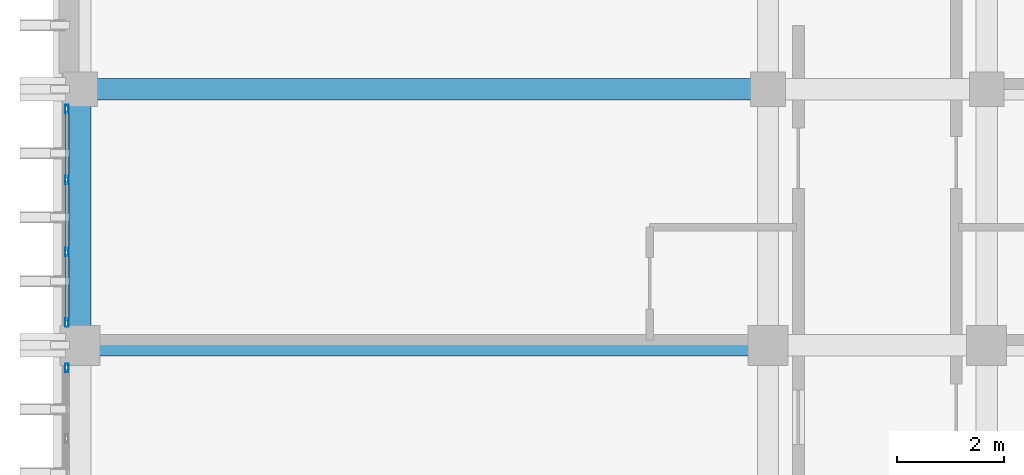
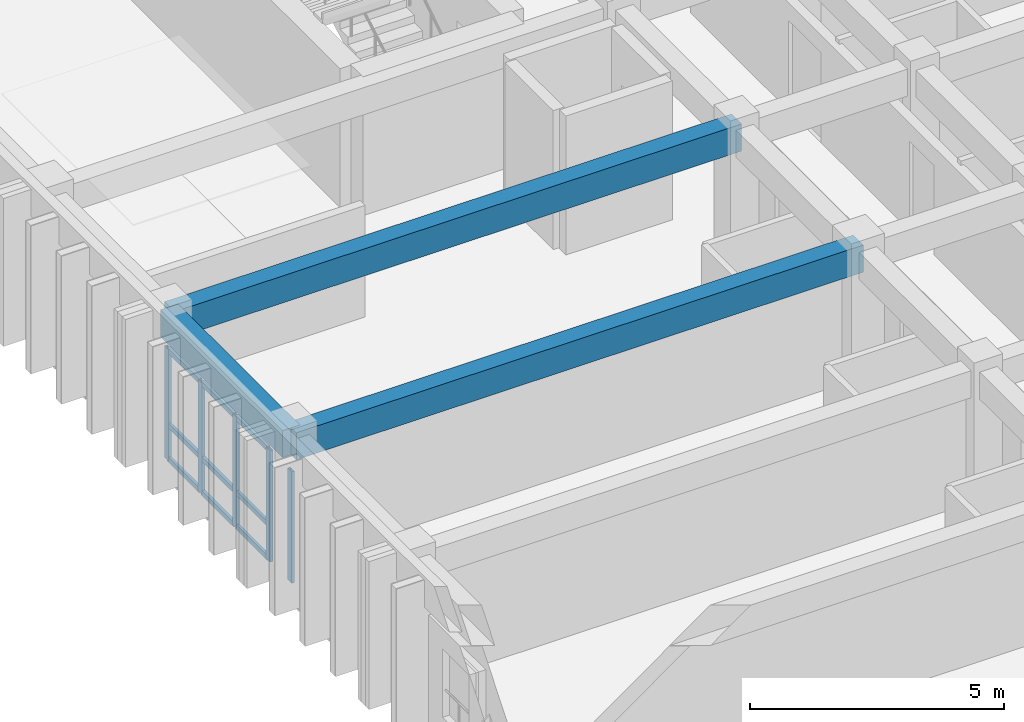
# One storey, part 18 of 64: 14 members, 3 beams, 2 elements without a shape of their own.
"""IFC4 building model written with IfcOpenShell, lengths in metres."""

from ifc_helpers import new_model, si_unit, direction, frame, origin, origin_2d, place, context, subcontext, project, spatial, rectangle, hollow_rectangle, extrude, material, layer, layer_set, material_profile, profile_set, type_object, element, aggregate, save


model = new_model("IFC4")

# Units and contexts
model_context = context("Model", 3, precision=1e-05, world=origin(), true_north=direction((0.0, 1.0)))
body_context = subcontext(model_context, "Body", "Model", "MODEL_VIEW")
ifc_project = project(units=[si_unit("LENGTHUNIT", "METRE"), si_unit("AREAUNIT", "SQUARE_METRE"), si_unit("VOLUMEUNIT", "CUBIC_METRE"), si_unit("PLANEANGLEUNIT", "RADIAN"), si_unit("MASSUNIT", "GRAM", prefix="KILO")], contexts=[model_context])

# Site, building, storey
site_placement = place(None, origin())
site = spatial("IfcSite", under=ifc_project, at=site_placement, CompositionType="ELEMENT")
building_placement = place(site_placement, origin())
building = spatial("IfcBuilding", under=site, at=building_placement, Name="Nakhvara Creek Congress Hotel", CompositionType="ELEMENT")
storey_placement = place(building_placement, frame((0.0, 0.0, 28.199951171875)))
storey = spatial("IfcBuildingStorey", under=building, at=storey_placement, Name="L06", CompositionType="ELEMENT", Elevation=28.199951171875)

# Beams
ifc_material_1 = material(Name="Concrete C40/50", Category="concrete")
ifc_material_profile_1 = material_profile(ifc_material_1, rectangle(XDim=0.39990234375, YDim=0.64990234375, at=origin_2d()), Name="RC-BM 400x650", Category="LoadBearing")
ifc_profile_set_1 = profile_set([ifc_material_profile_1], Name="Concrete C40/50")
beam_type = type_object("IfcBeamType", Name="BM-RC-400X650", PredefinedType="BEAM", material=ifc_profile_set_1)
beam_1_placement = place(storey_placement, frame((149.449951171875, 67.199951171875, 3.01513671875), z_axis=(1.0, 0.0, 0.0), x_axis=(0.0, 1.0, 0.0)))
element("IfcBeam", 1, at=beam_1_placement, inside=storey, type_object=beam_type, Name="Beam B06-L06-2201", PredefinedType="BEAM", context=body_context, shape_type="SweptSolid", body=[
    extrude(rectangle(XDim=0.39990234375, YDim=0.64990234375, at=origin_2d()), origin(), (0.0, 0.0, 1.0), 12.900146484375),
])
beam_2_placement = place(storey_placement, frame((149.449951171875, 67.199951171875, 3.01513671875), z_axis=(0.0, 1.0, 0.0), x_axis=(-1.0, 0.0, 0.0)))
element("IfcBeam", 2, at=beam_2_placement, inside=storey, type_object=beam_type, Name="Beam B06-L06-2203", PredefinedType="BEAM", context=body_context, shape_type="SweptSolid", body=[
    extrude(rectangle(XDim=0.39990234375, YDim=0.64990234375, at=origin_2d()), origin(), (0.0, 0.0, 1.0), 4.800048828125),
])
beam_3_placement = place(storey_placement, frame((149.449951171875, 72.0, 3.01513671875), z_axis=(1.0, 0.0, 0.0), x_axis=(0.0, 1.0, 0.0)))
element("IfcBeam", 3, at=beam_3_placement, inside=storey, type_object=beam_type, Name="Beam B06-L06-2296", PredefinedType="BEAM", context=body_context, shape_type="SweptSolid", body=[
    extrude(rectangle(XDim=0.39990234375, YDim=0.64990234375, at=origin_2d()), origin(), (0.0, 0.0, 1.0), 12.900146484375),
])

# Curtain wall, member
ifc_material_2 = material(Name="Bronze-anodised aluminium AW-6063-T6 and double-silver low-E glass", Category="aluminium")
ifc_layer = layer(ifc_material_2, 0.199951171875)
ifc_layer_set = layer_set([ifc_layer], Name="Bronze-anodised aluminium AW-6063-T6 and double-silver low-E glass")
curtain_wall_type = type_object("IfcCurtainWallType", Name="CW-HTL-UNIT", PredefinedType="USERDEFINED", material=ifc_layer_set)
curtain_wall_1_placement = place(storey_placement, origin())
curtain_wall_1 = element("IfcCurtainWall", 4, at=curtain_wall_1_placement, inside=storey, type_object=curtain_wall_type, Name="Curtain Wall CW236", ObjectType="UNITISED", PredefinedType="USERDEFINED")
ifc_material_3 = material(Name="Bronze-anodised aluminium AW-6063-T6", Category="aluminium")
ifc_material_profile_2 = material_profile(ifc_material_3, hollow_rectangle(XDim=0.06494140625, YDim=0.159912109375, WallThickness=0.00390625, at=origin_2d()), Name="ALU-MULL 65x160x4", Category="LoadBearing")
ifc_profile_set_2 = profile_set([ifc_material_profile_2], Name="Bronze-anodised aluminium AW-6063-T6")
member_type_1 = type_object("IfcMemberType", Name="CW-MULL-160", PredefinedType="MULLION", material=ifc_profile_set_2)
member_1_placement = place(storey_placement, frame((149.199951171875, 66.777587890625, 0.0), z_axis=(0.0, 0.0, 1.0), x_axis=(-1.0, 0.0, 0.0)))
member_1 = element("IfcMember", 5, at=member_1_placement, type_object=member_type_1, Name="CW236 mullion 4", PredefinedType="MULLION", context=body_context, shape_type="SweptSolid", body=[
    extrude(hollow_rectangle(XDim=0.06494140625, YDim=0.159912109375, WallThickness=0.00390625, at=origin_2d()), origin(), (0.0, 0.0, 1.0), 2.68212890625),
])
aggregate(curtain_wall_1, [member_1])

# Curtain wall, members
curtain_wall_2_placement = place(storey_placement, origin())
curtain_wall_2 = element("IfcCurtainWall", 6, at=curtain_wall_2_placement, inside=storey, type_object=curtain_wall_type, Name="Curtain Wall CW238", ObjectType="UNITISED", PredefinedType="USERDEFINED")
member_2_placement = place(storey_placement, frame((149.199951171875, 67.62255859375, 0.0), z_axis=(0.0, 0.0, 1.0), x_axis=(-1.0, 0.0, 0.0)))
member_2 = element("IfcMember", 7, at=member_2_placement, type_object=member_type_1, Name="CW238 mullion 1", PredefinedType="MULLION", context=body_context, shape_type="SweptSolid", body=[
    extrude(hollow_rectangle(XDim=0.06494140625, YDim=0.159912109375, WallThickness=0.00390625, at=origin_2d()), origin(), (0.0, 0.0, 1.0), 2.68212890625),
])
member_3_placement = place(storey_placement, frame((149.199951171875, 68.94677734375, 0.0), z_axis=(0.0, 0.0, 1.0), x_axis=(-1.0, 0.0, 0.0)))
member_3 = element("IfcMember", 8, at=member_3_placement, type_object=member_type_1, Name="CW238 mullion 2", PredefinedType="MULLION", context=body_context, shape_type="SweptSolid", body=[
    extrude(hollow_rectangle(XDim=0.06494140625, YDim=0.159912109375, WallThickness=0.00390625, at=origin_2d()), origin(), (0.0, 0.0, 1.0), 2.68212890625),
])
member_4_placement = place(storey_placement, frame((149.199951171875, 70.30322265625, 0.0), z_axis=(0.0, 0.0, 1.0), x_axis=(-1.0, 0.0, 0.0)))
member_4 = element("IfcMember", 9, at=member_4_placement, type_object=member_type_1, Name="CW238 mullion 3", PredefinedType="MULLION", context=body_context, shape_type="SweptSolid", body=[
    extrude(hollow_rectangle(XDim=0.06494140625, YDim=0.159912109375, WallThickness=0.00390625, at=origin_2d()), origin(), (0.0, 0.0, 1.0), 2.68212890625),
])
member_5_placement = place(storey_placement, frame((149.199951171875, 71.62744140625, 0.0), z_axis=(0.0, 0.0, 1.0), x_axis=(-1.0, 0.0, 0.0)))
member_5 = element("IfcMember", 10, at=member_5_placement, type_object=member_type_1, Name="CW238 mullion 4", PredefinedType="MULLION", context=body_context, shape_type="SweptSolid", body=[
    extrude(hollow_rectangle(XDim=0.06494140625, YDim=0.159912109375, WallThickness=0.00390625, at=origin_2d()), origin(), (0.0, 0.0, 1.0), 2.68212890625),
])
ifc_material_profile_3 = material_profile(ifc_material_3, hollow_rectangle(XDim=0.06494140625, YDim=0.1201171875, WallThickness=0.00390625, at=origin_2d()), Name="ALU-TRAN 65x120x4", Category="LoadBearing")
ifc_profile_set_3 = profile_set([ifc_material_profile_3], Name="Bronze-anodised aluminium AW-6063-T6")
member_type_2 = type_object("IfcMemberType", Name="CW-TRAN-120", PredefinedType="USERDEFINED", material=ifc_profile_set_3)
member_6_placement = place(storey_placement, frame((149.199951171875, 67.655029296875, 0.032470703125), z_axis=(0.0, 1.0, 0.0), x_axis=(-1.0, 0.0, 0.0)))
member_6 = element("IfcMember", 11, at=member_6_placement, type_object=member_type_2, Name="CW238 transom 1.1", ObjectType="TRANSOM", PredefinedType="USERDEFINED", context=body_context, shape_type="SweptSolid", body=[
    extrude(hollow_rectangle(XDim=0.06494140625, YDim=0.1201171875, WallThickness=0.00390625, at=origin_2d()), origin(), (0.0, 0.0, 1.0), 1.259033203125),
])
member_7_placement = place(storey_placement, frame((149.199951171875, 67.655029296875, 0.85009765625), z_axis=(0.0, 1.0, 0.0), x_axis=(-1.0, 0.0, 0.0)))
member_7 = element("IfcMember", 12, at=member_7_placement, type_object=member_type_2, Name="CW238 transom 1.2", ObjectType="TRANSOM", PredefinedType="USERDEFINED", context=body_context, shape_type="SweptSolid", body=[
    extrude(hollow_rectangle(XDim=0.06494140625, YDim=0.1201171875, WallThickness=0.00390625, at=origin_2d()), origin(), (0.0, 0.0, 1.0), 1.259033203125),
])
member_8_placement = place(storey_placement, frame((149.199951171875, 67.655029296875, 2.649658203125), z_axis=(0.0, 1.0, 0.0), x_axis=(-1.0, 0.0, 0.0)))
member_8 = element("IfcMember", 13, at=member_8_placement, type_object=member_type_2, Name="CW238 transom 1.3", ObjectType="TRANSOM", PredefinedType="USERDEFINED", context=body_context, shape_type="SweptSolid", body=[
    extrude(hollow_rectangle(XDim=0.06494140625, YDim=0.1201171875, WallThickness=0.00390625, at=origin_2d()), origin(), (0.0, 0.0, 1.0), 1.259033203125),
])
member_9_placement = place(storey_placement, frame((149.199951171875, 68.979248046875, 0.032470703125), z_axis=(0.0, 1.0, 0.0), x_axis=(-1.0, 0.0, 0.0)))
member_9 = element("IfcMember", 14, at=member_9_placement, type_object=member_type_2, Name="CW238 transom 2.1", ObjectType="TRANSOM", PredefinedType="USERDEFINED", context=body_context, shape_type="SweptSolid", body=[
    extrude(hollow_rectangle(XDim=0.06494140625, YDim=0.1201171875, WallThickness=0.00390625, at=origin_2d()), origin(), (0.0, 0.0, 1.0), 1.29150390625),
])
member_10_placement = place(storey_placement, frame((149.199951171875, 68.979248046875, 0.85009765625), z_axis=(0.0, 1.0, 0.0), x_axis=(-1.0, 0.0, 0.0)))
member_10 = element("IfcMember", 15, at=member_10_placement, type_object=member_type_2, Name="CW238 transom 2.2", ObjectType="TRANSOM", PredefinedType="USERDEFINED", context=body_context, shape_type="SweptSolid", body=[
    extrude(hollow_rectangle(XDim=0.06494140625, YDim=0.1201171875, WallThickness=0.00390625, at=origin_2d()), origin(), (0.0, 0.0, 1.0), 1.29150390625),
])
member_11_placement = place(storey_placement, frame((149.199951171875, 68.979248046875, 2.649658203125), z_axis=(0.0, 1.0, 0.0), x_axis=(-1.0, 0.0, 0.0)))
member_11 = element("IfcMember", 16, at=member_11_placement, type_object=member_type_2, Name="CW238 transom 2.3", ObjectType="TRANSOM", PredefinedType="USERDEFINED", context=body_context, shape_type="SweptSolid", body=[
    extrude(hollow_rectangle(XDim=0.06494140625, YDim=0.1201171875, WallThickness=0.00390625, at=origin_2d()), origin(), (0.0, 0.0, 1.0), 1.29150390625),
])
member_12_placement = place(storey_placement, frame((149.199951171875, 70.3359375, 0.032470703125), z_axis=(0.0, 1.0, 0.0), x_axis=(-1.0, 0.0, 0.0)))
member_12 = element("IfcMember", 17, at=member_12_placement, type_object=member_type_2, Name="CW238 transom 3.1", ObjectType="TRANSOM", PredefinedType="USERDEFINED", context=body_context, shape_type="SweptSolid", body=[
    extrude(hollow_rectangle(XDim=0.06494140625, YDim=0.1201171875, WallThickness=0.00390625, at=origin_2d()), origin(), (0.0, 0.0, 1.0), 1.259033203125),
])
member_13_placement = place(storey_placement, frame((149.199951171875, 70.3359375, 0.85009765625), z_axis=(0.0, 1.0, 0.0), x_axis=(-1.0, 0.0, 0.0)))
member_13 = element("IfcMember", 18, at=member_13_placement, type_object=member_type_2, Name="CW238 transom 3.2", ObjectType="TRANSOM", PredefinedType="USERDEFINED", context=body_context, shape_type="SweptSolid", body=[
    extrude(hollow_rectangle(XDim=0.06494140625, YDim=0.1201171875, WallThickness=0.00390625, at=origin_2d()), origin(), (0.0, 0.0, 1.0), 1.259033203125),
])
member_14_placement = place(storey_placement, frame((149.199951171875, 70.3359375, 2.649658203125), z_axis=(0.0, 1.0, 0.0), x_axis=(-1.0, 0.0, 0.0)))
member_14 = element("IfcMember", 19, at=member_14_placement, type_object=member_type_2, Name="CW238 transom 3.3", ObjectType="TRANSOM", PredefinedType="USERDEFINED", context=body_context, shape_type="SweptSolid", body=[
    extrude(hollow_rectangle(XDim=0.06494140625, YDim=0.1201171875, WallThickness=0.00390625, at=origin_2d()), origin(), (0.0, 0.0, 1.0), 1.259033203125),
])
aggregate(curtain_wall_2, [member_2, member_3, member_4, member_5, member_6, member_7, member_8, member_9, member_10, member_11, member_12, member_13, member_14])

save(model, "model.ifc")
